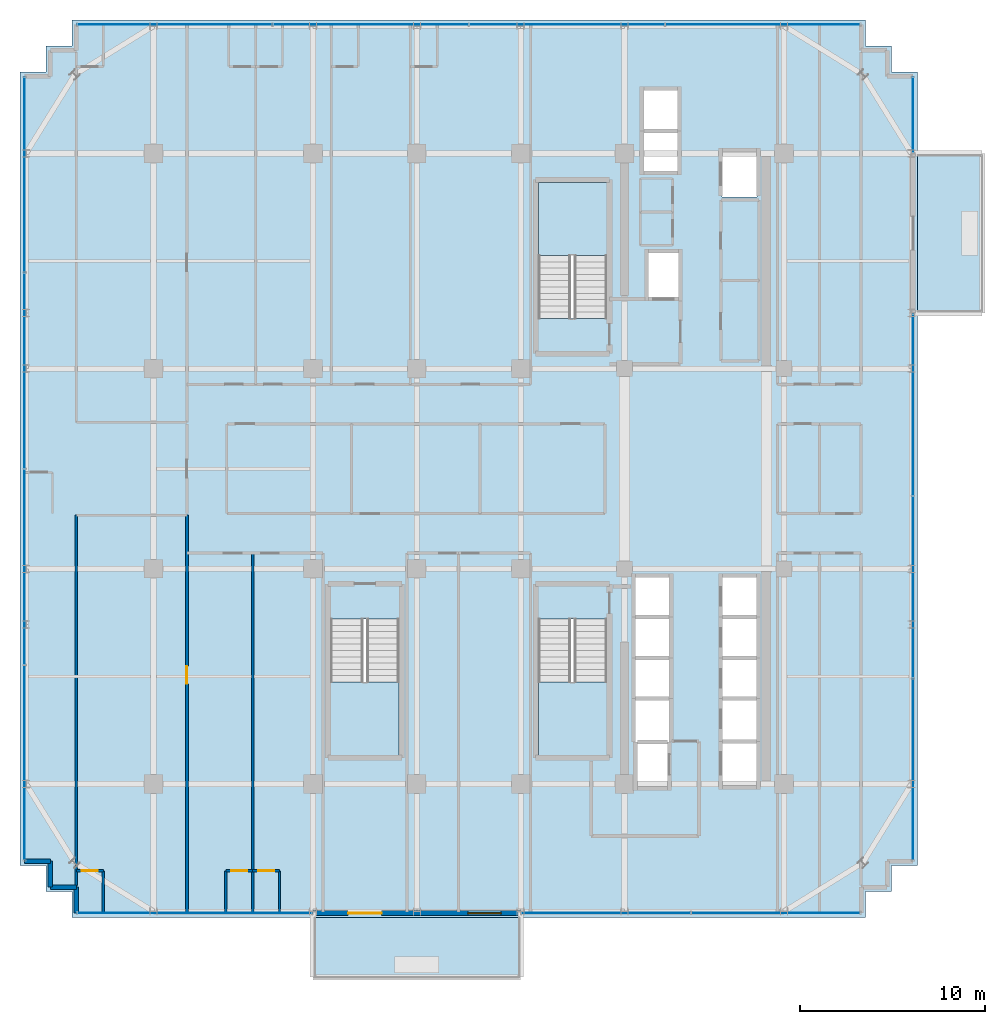
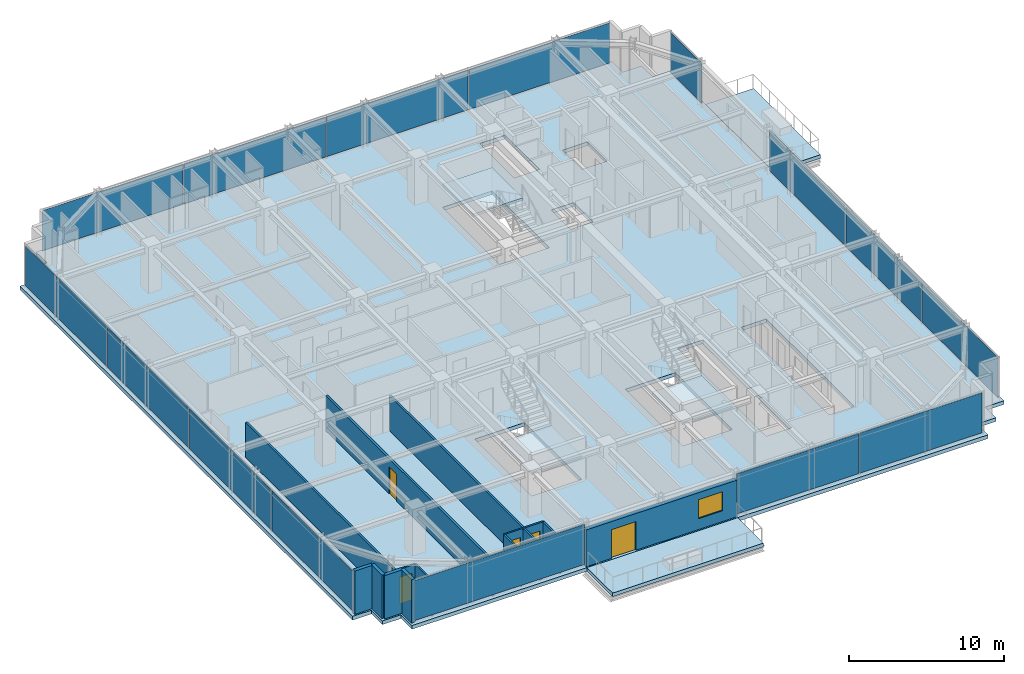
# One storey, part 27 of 34: 15 plates, 14 walls, 6 slabs, 5 doors, 1 window, 6 openings, 9 elements without a shape of their own.
"""IFC4 building model written with IfcOpenShell, lengths in metres."""

from ifc_helpers import new_model, si_unit, direction, frame, frame_2d, origin, origin_2d, place, context, subcontext, project, spatial, polyline, rectangle, outline, extrude, source, transform, mapped, material, layer, layer_set, type_object, element, fill, aggregate, save


model = new_model("IFC4")

# Units and contexts
model_context = context("Model", 3, precision=1e-05, world=origin(), true_north=direction((0.0, 1.0)))
body_context = subcontext(model_context, "Body", "Model", "MODEL_VIEW")
ifc_project = project(units=[si_unit("LENGTHUNIT", "METRE"), si_unit("AREAUNIT", "SQUARE_METRE"), si_unit("VOLUMEUNIT", "CUBIC_METRE"), si_unit("PLANEANGLEUNIT", "RADIAN"), si_unit("MASSUNIT", "GRAM", prefix="KILO")], contexts=[model_context])

# Site, building, storey
site_placement = place(None, origin())
site = spatial("IfcSite", under=ifc_project, at=site_placement, CompositionType="ELEMENT")
building_placement = place(site_placement, origin())
building = spatial("IfcBuilding", under=site, at=building_placement, Name="Nahalor Promenade Grand Hotel", CompositionType="ELEMENT")
storey_placement = place(building_placement, frame((0.0, 0.0, 208.60009765625)))
storey = spatial("IfcBuildingStorey", under=building, at=storey_placement, Name="L53", CompositionType="ELEMENT", Elevation=208.60009765625)

# Stair, slab
ifc_material_1 = material(Name="Concrete B-50 (C40/50)", Category="concrete")
stair_type_1 = type_object("IfcStairType", Name="Stair-ST1", PredefinedType="HALF_TURN_STAIR", material=ifc_material_1)
stair_1_placement = place(storey_placement, origin())
stair_1 = element("IfcStair", 1, at=stair_1_placement, inside=storey, type_object=stair_type_1, Name="L53 ST1", PredefinedType="HALF_TURN_STAIR")
ifc_layer_1 = layer(ifc_material_1, 0.199951171875)
ifc_layer_set_1 = layer_set([ifc_layer_1], Name="Concrete B-50 (C40/50)")
slab_type_1 = type_object("IfcSlabType", Name="Landing-ST1", PredefinedType="LANDING", material=ifc_layer_set_1)
slab_1_placement = place(storey_placement, frame((0.0, 0.0, 1.64990234375)))
slab_1 = element("IfcSlab", 2, at=slab_1_placement, type_object=slab_type_1, Name="ST1 landing 1", PredefinedType="LANDING", context=body_context, shape_type="SweptSolid", body=[
    extrude(outline(polyline([(7.449951171875, 11.5), (7.449951171875, 15.449951171875), (3.75, 15.449951171875), (3.75, 11.5), (7.449951171875, 11.5)])), origin(), (0.0, 0.0, 1.0), 0.199951171875),
])
aggregate(stair_1, [slab_1])

stair_type_2 = type_object("IfcStairType", Name="Stair-ST2", PredefinedType="HALF_TURN_STAIR", material=ifc_material_1)
stair_2_placement = place(storey_placement, origin())
stair_2 = element("IfcStair", 3, at=stair_2_placement, inside=storey, type_object=stair_type_2, Name="L53 ST2", PredefinedType="HALF_TURN_STAIR")
ifc_layer_2 = layer(ifc_material_1, 0.2099609375)
ifc_layer_set_2 = layer_set([ifc_layer_2], Name="Concrete B-50 (C40/50)")
slab_type_2 = type_object("IfcSlabType", Name="Landing-ST2", PredefinedType="LANDING", material=ifc_layer_set_2)
slab_2_placement = place(storey_placement, frame((0.0, 0.0, 1.639892578125)))
slab_2 = element("IfcSlab", 4, at=slab_2_placement, type_object=slab_type_2, Name="ST2 landing 1", PredefinedType="LANDING", context=body_context, shape_type="SweptSolid", body=[
    extrude(outline(polyline([(3.75, -11.5), (3.75, -15.449951171875), (7.449951171875, -15.449951171875), (7.449951171875, -11.5), (3.75, -11.5)])), origin(), (0.0, 0.0, 1.0), 0.2099609375),
])
aggregate(stair_2, [slab_2])

stair_type_3 = type_object("IfcStairType", Name="Stair-ST3", PredefinedType="HALF_TURN_STAIR", material=ifc_material_1)
stair_3_placement = place(storey_placement, origin())
stair_3 = element("IfcStair", 5, at=stair_3_placement, inside=storey, type_object=stair_type_3, Name="L53 ST3", PredefinedType="HALF_TURN_STAIR")
ifc_layer_3 = layer(ifc_material_1, 0.219970703125)
ifc_layer_set_3 = layer_set([ifc_layer_3], Name="Concrete B-50 (C40/50)")
slab_type_3 = type_object("IfcSlabType", Name="Landing-ST3", PredefinedType="LANDING", material=ifc_layer_set_3)
slab_3_placement = place(storey_placement, frame((0.0, 0.0, 1.6298828125)))
slab_3 = element("IfcSlab", 6, at=slab_3_placement, type_object=slab_type_3, Name="ST3 landing 1", PredefinedType="LANDING", context=body_context, shape_type="SweptSolid", body=[
    extrude(outline(polyline([(-7.449951171875, -11.5), (-7.449951171875, -15.449951171875), (-3.75, -15.449951171875), (-3.75, -11.5), (-7.449951171875, -11.5)])), origin(), (0.0, 0.0, 1.0), 0.219970703125),
])
aggregate(stair_3, [slab_3])

# Slabs
ifc_layer_4 = layer(ifc_material_1, 0.280029296875)
ifc_layer_set_4 = layer_set([ifc_layer_4], Name="Concrete B-50 (C40/50)")
slab_type_4 = type_object("IfcSlabType", Name="Slab-Balcony-280", PredefinedType="FLOOR", material=ifc_layer_set_4)
slab_4_placement = place(storey_placement, frame((0.0, 0.0, -0.280029296875)))
element("IfcSlab", 7, at=slab_4_placement, inside=storey, type_object=slab_type_4, Name="L53 Cantilevered Planted Balcony 1", PredefinedType="FLOOR", context=body_context, shape_type="SweptSolid", body=[
    extrude(outline(polyline([(-8.39990234375, -27.5), (2.800048828125, -27.5), (2.800048828125, -24.199951171875), (-8.39990234375, -24.199951171875), (-8.39990234375, -27.5)])), origin(), (0.0, 0.0, 1.0), 0.280029296875),
])
slab_5_placement = place(storey_placement, frame((0.0, 0.0, -0.280029296875)))
element("IfcSlab", 8, at=slab_5_placement, inside=storey, type_object=slab_type_4, Name="L53 Cantilevered Planted Balcony 2", PredefinedType="FLOOR", context=body_context, shape_type="SweptSolid", body=[
    extrude(outline(polyline([(24.199951171875, 8.39990234375), (27.760009765625, 8.39990234375), (27.760009765625, 17.0), (24.199951171875, 17.0), (24.199951171875, 8.39990234375)])), origin(), (0.0, 0.0, 1.0), 0.280029296875),
])
ifc_layer_5 = layer(ifc_material_1, 0.2900390625)
ifc_layer_set_5 = layer_set([ifc_layer_5], Name="Concrete B-50 (C40/50)")
slab_type_5 = type_object("IfcSlabType", Name="Slab-TowerZ4-290", PredefinedType="FLOOR", material=ifc_layer_set_5)
slab_6_placement = place(storey_placement, frame((0.0, 0.0, -0.2900390625)))
element("IfcSlab", 9, at=slab_6_placement, inside=storey, type_object=slab_type_5, Name="L53 Suspended Structural Floor Slab", PredefinedType="FLOOR", context=body_context, shape_type="SweptSolid", body=[
    extrude(outline(polyline([(-21.39990234375, -24.199951171875), (21.39990234375, -24.199951171875), (21.39990234375, -22.800048828125), (22.800048828125, -22.800048828125), (22.800048828125, -21.39990234375), (24.199951171875, -21.39990234375), (24.199951171875, 21.39990234375), (22.800048828125, 21.39990234375), (22.800048828125, 22.800048828125), (21.39990234375, 22.800048828125), (21.39990234375, 24.199951171875), (-21.39990234375, 24.199951171875), (-21.39990234375, 22.800048828125), (-22.800048828125, 22.800048828125), (-22.800048828125, 21.39990234375), (-24.199951171875, 21.39990234375), (-24.199951171875, -21.39990234375), (-22.800048828125, -21.39990234375), (-22.800048828125, -22.800048828125), (-21.39990234375, -22.800048828125), (-21.39990234375, -24.199951171875)]), holes=[polyline([(3.75, 8.10009765625), (7.449951171875, 8.10009765625), (7.449951171875, 15.449951171875), (3.75, 15.449951171875), (3.75, 8.10009765625)]), polyline([(3.75, -15.449951171875), (7.449951171875, -15.449951171875), (7.449951171875, -8.10009765625), (3.75, -8.10009765625), (3.75, -15.449951171875)]), polyline([(-7.449951171875, -15.449951171875), (-3.75, -15.449951171875), (-3.75, -8.10009765625), (-7.449951171875, -8.10009765625), (-7.449951171875, -15.449951171875)]), polyline([(13.659912109375, -17.139892578125), (15.5400390625, -17.139892578125), (15.5400390625, -5.81005859375), (13.659912109375, -5.81005859375), (13.659912109375, -17.139892578125)]), polyline([(8.9599609375, -17.18994140625), (10.840087890625, -17.18994140625), (10.840087890625, -5.81005859375), (8.9599609375, -5.81005859375), (8.9599609375, -17.18994140625)]), polyline([(9.409912109375, 16.010009765625), (11.2900390625, 16.010009765625), (11.2900390625, 20.43994140625), (9.409912109375, 20.43994140625), (9.409912109375, 16.010009765625)]), polyline([(9.659912109375, 9.2099609375), (11.340087890625, 9.2099609375), (11.340087890625, 11.68994140625), (9.659912109375, 11.68994140625), (9.659912109375, 9.2099609375)]), polyline([(13.659912109375, 14.659912109375), (15.5400390625, 14.659912109375), (15.5400390625, 17.139892578125), (13.659912109375, 17.139892578125), (13.659912109375, 14.659912109375)])]), origin(), (0.0, 0.0, 1.0), 0.2900390625),
])

# Curtain wall, plates
ifc_material_2 = material(Name="Anodised Bronze Aluminium EN AW-6063 T6", Category="aluminium")
curtain_wall_type = type_object("IfcCurtainWallType", Name="CW2 Typical Hotel Flush Bronze Unitised Curtain Wall", PredefinedType="USERDEFINED", material=ifc_material_2)
curtain_wall_1_placement = place(storey_placement, origin())
curtain_wall_1 = element("IfcCurtainWall", 10, at=curtain_wall_1_placement, inside=storey, type_object=curtain_wall_type, Name="L53 Curtain Wall CW-L53-N-1", ObjectType="UNITISED_CURTAIN_WALL", PredefinedType="USERDEFINED")
ifc_material_3 = material(Name="Low-E Laminated Solar Glass", Category="glass")
ifc_layer_6 = layer(ifc_material_3, 0.028076171875)
ifc_layer_set_6 = layer_set([ifc_layer_6], Name="Low-E Laminated Solar Glass")
plate_type = type_object("IfcPlateType", Name="CWP2 Bronze Low-E Vision IGU 28mm", PredefinedType="CURTAIN_PANEL", material=ifc_layer_set_6)
shared_shape_1 = source(origin(), body_context, "Body", "SweptSolid", [
    extrude(rectangle(XDim=10.482421875, YDim=0.028076171875, at=origin_2d()), origin(), (0.0, 0.0, 1.0), 3.14990234375),
])
plate_1_placement = place(storey_placement, frame((-15.853759765625, 23.9599609375, 0.1298828125), z_axis=(0.0, 0.0, 1.0), x_axis=(1.0, 0.0, 0.0)))
plate_1 = element("IfcPlate", 11, at=plate_1_placement, type_object=plate_type, Name="CW-L53-N-1 Glazing Panel 0-0", PredefinedType="CURTAIN_PANEL", context=body_context, shape_type="MappedRepresentation", body=[
    mapped(shared_shape_1, transform((0.0, 0.0, 0.0), scale=1.0)),
])
plate_2_placement = place(storey_placement, frame((15.853759765625, 23.9599609375, 0.1298828125), z_axis=(0.0, 0.0, 1.0), x_axis=(1.0, 0.0, 0.0)))
plate_2 = element("IfcPlate", 12, at=plate_2_placement, type_object=plate_type, Name="CW-L53-N-1 Glazing Panel 3-0", PredefinedType="CURTAIN_PANEL", context=body_context, shape_type="MappedRepresentation", body=[
    mapped(shared_shape_1, transform((0.0, 0.0, 0.0), scale=1.0)),
])

curtain_wall_2_placement = place(storey_placement, origin())
curtain_wall_2 = element("IfcCurtainWall", 13, at=curtain_wall_2_placement, inside=storey, type_object=curtain_wall_type, Name="L53 Curtain Wall CW-L53-W-1", ObjectType="UNITISED_CURTAIN_WALL", PredefinedType="USERDEFINED")
plate_3_placement = place(storey_placement, frame((-23.9599609375, -15.853759765625, 0.1298828125), z_axis=(0.0, 0.0, 1.0), x_axis=(0.0, 1.0, 0.0)))
plate_3 = element("IfcPlate", 14, at=plate_3_placement, type_object=plate_type, Name="CW-L53-W-1 Glazing Panel 0-0", PredefinedType="CURTAIN_PANEL", context=body_context, shape_type="MappedRepresentation", body=[
    mapped(shared_shape_1, transform((0.0, 0.0, 0.0), scale=1.0)),
])
plate_4_placement = place(storey_placement, frame((-23.9599609375, 15.853759765625, 0.1298828125), z_axis=(0.0, 0.0, 1.0), x_axis=(0.0, 1.0, 0.0)))
plate_4 = element("IfcPlate", 15, at=plate_4_placement, type_object=plate_type, Name="CW-L53-W-1 Glazing Panel 3-0", PredefinedType="CURTAIN_PANEL", context=body_context, shape_type="MappedRepresentation", body=[
    mapped(shared_shape_1, transform((0.0, 0.0, 0.0), scale=1.0)),
])

# Plate
shared_shape_2 = source(origin(), body_context, "Body", "SweptSolid", [
    extrude(rectangle(XDim=10.514892578125, YDim=0.028076171875, at=origin_2d()), origin(), (0.0, 0.0, 1.0), 3.14990234375),
])
plate_5_placement = place(storey_placement, frame((-5.2900390625, 23.9599609375, 0.1298828125), z_axis=(0.0, 0.0, 1.0), x_axis=(1.0, 0.0, 0.0)))
plate_5 = element("IfcPlate", 16, at=plate_5_placement, type_object=plate_type, Name="CW-L53-N-1 Glazing Panel 1-0", PredefinedType="CURTAIN_PANEL", context=body_context, shape_type="MappedRepresentation", body=[
    mapped(shared_shape_2, transform((0.0, 0.0, 0.0), scale=1.0)),
])

plate_6_placement = place(storey_placement, frame((5.2900390625, 23.9599609375, 0.1298828125), z_axis=(0.0, 0.0, 1.0), x_axis=(1.0, 0.0, 0.0)))
plate_6 = element("IfcPlate", 17, at=plate_6_placement, type_object=plate_type, Name="CW-L53-N-1 Glazing Panel 2-0", PredefinedType="CURTAIN_PANEL", context=body_context, shape_type="MappedRepresentation", body=[
    mapped(shared_shape_2, transform((0.0, 0.0, 0.0), scale=1.0)),
])

aggregate(curtain_wall_1, [plate_1, plate_5, plate_6, plate_2])

plate_7_placement = place(storey_placement, frame((-23.9599609375, -5.2900390625, 0.1298828125), z_axis=(0.0, 0.0, 1.0), x_axis=(0.0, 1.0, 0.0)))
plate_7 = element("IfcPlate", 18, at=plate_7_placement, type_object=plate_type, Name="CW-L53-W-1 Glazing Panel 1-0", PredefinedType="CURTAIN_PANEL", context=body_context, shape_type="MappedRepresentation", body=[
    mapped(shared_shape_2, transform((0.0, 0.0, 0.0), scale=1.0)),
])

plate_8_placement = place(storey_placement, frame((-23.9599609375, 5.2900390625, 0.1298828125), z_axis=(0.0, 0.0, 1.0), x_axis=(0.0, 1.0, 0.0)))
plate_8 = element("IfcPlate", 19, at=plate_8_placement, type_object=plate_type, Name="CW-L53-W-1 Glazing Panel 2-0", PredefinedType="CURTAIN_PANEL", context=body_context, shape_type="MappedRepresentation", body=[
    mapped(shared_shape_2, transform((0.0, 0.0, 0.0), scale=1.0)),
])

aggregate(curtain_wall_2, [plate_3, plate_7, plate_8, plate_4])

# Curtain wall, plate
curtain_wall_3_placement = place(storey_placement, origin())
curtain_wall_3 = element("IfcCurtainWall", 20, at=curtain_wall_3_placement, inside=storey, type_object=curtain_wall_type, Name="L53 Curtain Wall CW-L53-E-3", ObjectType="UNITISED_CURTAIN_WALL", PredefinedType="USERDEFINED")
shared_shape_3 = source(origin(), body_context, "Body", "SweptSolid", [
    extrude(rectangle(XDim=4.030029296875, YDim=0.028076171875, at=origin_2d()), origin(), (0.0, 0.0, 1.0), 3.14990234375),
])
plate_9_placement = place(storey_placement, frame((23.9599609375, 19.080078125, 0.1298828125), z_axis=(0.0, 0.0, 1.0), x_axis=(0.0, 1.0, 0.0)))
plate_9 = element("IfcPlate", 21, at=plate_9_placement, type_object=plate_type, Name="CW-L53-E-3 Glazing Panel 0-0", PredefinedType="CURTAIN_PANEL", context=body_context, shape_type="MappedRepresentation", body=[
    mapped(shared_shape_3, transform((0.0, 0.0, 0.0), scale=1.0)),
])
aggregate(curtain_wall_3, [plate_9])

# Curtain wall, plates
curtain_wall_4_placement = place(storey_placement, origin())
curtain_wall_4 = element("IfcCurtainWall", 22, at=curtain_wall_4_placement, inside=storey, type_object=curtain_wall_type, Name="L53 Curtain Wall CW-L53-E-1", ObjectType="UNITISED_CURTAIN_WALL", PredefinedType="USERDEFINED")
shared_shape_4 = source(origin(), body_context, "Body", "SweptSolid", [
    extrude(rectangle(XDim=9.755859375, YDim=0.028076171875, at=origin_2d()), origin(), (0.0, 0.0, 1.0), 3.14990234375),
])
plate_10_placement = place(storey_placement, frame((23.9599609375, -16.217041015625, 0.1298828125), z_axis=(0.0, 0.0, 1.0), x_axis=(0.0, 1.0, 0.0)))
plate_10 = element("IfcPlate", 23, at=plate_10_placement, type_object=plate_type, Name="CW-L53-E-1 Glazing Panel 0-0", PredefinedType="CURTAIN_PANEL", context=body_context, shape_type="MappedRepresentation", body=[
    mapped(shared_shape_4, transform((0.0, 0.0, 0.0), scale=1.0)),
])
plate_11_placement = place(storey_placement, frame((23.9599609375, 3.45703125, 0.1298828125), z_axis=(0.0, 0.0, 1.0), x_axis=(0.0, 1.0, 0.0)))
plate_11 = element("IfcPlate", 24, at=plate_11_placement, type_object=plate_type, Name="CW-L53-E-1 Glazing Panel 2-0", PredefinedType="CURTAIN_PANEL", context=body_context, shape_type="MappedRepresentation", body=[
    mapped(shared_shape_4, transform((0.0, 0.0, 0.0), scale=1.0)),
])
shared_shape_5 = source(origin(), body_context, "Body", "SweptSolid", [
    extrude(rectangle(XDim=9.788330078125, YDim=0.028076171875, at=origin_2d()), origin(), (0.0, 0.0, 1.0), 3.14990234375),
])
plate_12_placement = place(storey_placement, frame((23.9599609375, -6.3798828125, 0.1298828125), z_axis=(0.0, 0.0, 1.0), x_axis=(0.0, 1.0, 0.0)))
plate_12 = element("IfcPlate", 25, at=plate_12_placement, type_object=plate_type, Name="CW-L53-E-1 Glazing Panel 1-0", PredefinedType="CURTAIN_PANEL", context=body_context, shape_type="MappedRepresentation", body=[
    mapped(shared_shape_5, transform((0.0, 0.0, 0.0), scale=1.0)),
])
aggregate(curtain_wall_4, [plate_10, plate_12, plate_11])

# Curtain wall, plate
curtain_wall_5_placement = place(storey_placement, origin())
curtain_wall_5 = element("IfcCurtainWall", 26, at=curtain_wall_5_placement, inside=storey, type_object=curtain_wall_type, Name="L53 Curtain Wall CW-L53-S-1", ObjectType="UNITISED_CURTAIN_WALL", PredefinedType="USERDEFINED")
shared_shape_6 = source(origin(), body_context, "Body", "SweptSolid", [
    extrude(rectangle(XDim=12.6298828125, YDim=0.028076171875, at=origin_2d()), origin(), (0.0, 0.0, 1.0), 3.14990234375),
])
plate_13_placement = place(storey_placement, frame((-14.780029296875, -23.9599609375, 0.1298828125), z_axis=(0.0, 0.0, 1.0), x_axis=(1.0, 0.0, 0.0)))
plate_13 = element("IfcPlate", 27, at=plate_13_placement, type_object=plate_type, Name="CW-L53-S-1 Glazing Panel 0-0", PredefinedType="CURTAIN_PANEL", context=body_context, shape_type="MappedRepresentation", body=[
    mapped(shared_shape_6, transform((0.0, 0.0, 0.0), scale=1.0)),
])
aggregate(curtain_wall_5, [plate_13])

# Curtain wall, plates
curtain_wall_6_placement = place(storey_placement, origin())
curtain_wall_6 = element("IfcCurtainWall", 28, at=curtain_wall_6_placement, inside=storey, type_object=curtain_wall_type, Name="L53 Curtain Wall CW-L53-S-3", ObjectType="UNITISED_CURTAIN_WALL", PredefinedType="USERDEFINED")
shared_shape_7 = source(origin(), body_context, "Body", "SweptSolid", [
    extrude(rectangle(XDim=9.08251953125, YDim=0.028076171875, at=origin_2d()), origin(), (0.0, 0.0, 1.0), 3.14990234375),
])
plate_14_placement = place(storey_placement, frame((7.40625, -23.9599609375, 0.1298828125), z_axis=(0.0, 0.0, 1.0), x_axis=(1.0, 0.0, 0.0)))
plate_14 = element("IfcPlate", 29, at=plate_14_placement, type_object=plate_type, Name="CW-L53-S-3 Glazing Panel 0-0", PredefinedType="CURTAIN_PANEL", context=body_context, shape_type="MappedRepresentation", body=[
    mapped(shared_shape_7, transform((0.0, 0.0, 0.0), scale=1.0)),
])
plate_15_placement = place(storey_placement, frame((16.5537109375, -23.9599609375, 0.1298828125), z_axis=(0.0, 0.0, 1.0), x_axis=(1.0, 0.0, 0.0)))
plate_15 = element("IfcPlate", 30, at=plate_15_placement, type_object=plate_type, Name="CW-L53-S-3 Glazing Panel 1-0", PredefinedType="CURTAIN_PANEL", context=body_context, shape_type="MappedRepresentation", body=[
    mapped(shared_shape_7, transform((0.0, 0.0, 0.0), scale=1.0)),
])
aggregate(curtain_wall_6, [plate_14, plate_15])

# Walls
ifc_material_4 = material(Name="Concrete B-40 (C32/40)", Category="concrete")
ifc_layer_7 = layer(ifc_material_4, 0.25)
ifc_layer_set_7 = layer_set([ifc_layer_7], Name="Concrete B-40 (C32/40)")
wall_type_1 = type_object("IfcWallType", Name="Wall-BronzePier-250", PredefinedType="STANDARD", material=ifc_layer_set_7)
shared_shape_8 = source(origin(), body_context, "Body", "SweptSolid", [
    extrude(rectangle(XDim=1.39990234375, YDim=0.25, at=frame_2d((0.699951171875, 0.0))), origin(), (0.0, 0.0, 1.0), 3.409912109375),
])
for number, where, z_axis, x_axis, name in (
    (31, (-23.9599609375, -21.159912109375, 0.0), (0.0, 0.0, 1.0), (1.0, 0.0, 0.0), "W-L53-SR-13"),
    (32, (-21.159912109375, -23.9599609375, 0.0), (0.0, 0.0, 1.0), (0.0, 1.0, 0.0), "W-L53-SR-16"),
):
    element("IfcWall", number, at=place(storey_placement, frame(where, z_axis=z_axis, x_axis=x_axis)), inside=storey, type_object=wall_type_1, Name=name, PredefinedType="STANDARD", context=body_context, shape_type="MappedRepresentation", body=[
        mapped(shared_shape_8, transform((0.0, 0.0, 0.0), scale=1.0)),
    ])
shared_shape_9 = source(origin(), body_context, "Body", "SweptSolid", [
    extrude(rectangle(XDim=1.400146484375, YDim=0.25, at=frame_2d((0.7001953125, 0.0))), origin(), (0.0, 0.0, 1.0), 3.409912109375),
])
for number, where, z_axis, x_axis, name in (
    (33, (-22.56005859375, -22.56005859375, 0.0), (0.0, 0.0, 1.0), (0.0, 1.0, 0.0), "W-L53-SR-14"),
    (34, (-22.56005859375, -22.56005859375, 0.0), (0.0, 0.0, 1.0), (1.0, 0.0, 0.0), "W-L53-SR-15"),
):
    element("IfcWall", number, at=place(storey_placement, frame(where, z_axis=z_axis, x_axis=x_axis)), inside=storey, type_object=wall_type_1, Name=name, PredefinedType="STANDARD", context=body_context, shape_type="MappedRepresentation", body=[
        mapped(shared_shape_9, transform((0.0, 0.0, 0.0), scale=1.0)),
    ])

# Wall, openings, door, window
ifc_layer_8 = layer(ifc_material_4, 0.260009765625)
ifc_layer_set_8 = layer_set([ifc_layer_8], Name="Concrete B-40 (C32/40)")
wall_type_2 = type_object("IfcWallType", Name="Wall-BalconyWall-260", PredefinedType="STANDARD", material=ifc_layer_set_8)
shared_shape_10 = source(origin(), body_context, "Body", "SweptSolid", [
    extrude(rectangle(XDim=11.199951171875, YDim=0.260009765625, at=frame_2d((5.60009765625, 0.0))), origin(), (0.0, 0.0, 1.0), 2.889892578125),
])
wall_1_placement = place(storey_placement, frame((-8.39990234375, -23.9599609375, 0.0), z_axis=(0.0, 0.0, 1.0), x_axis=(1.0, 0.0, 0.0)))
wall_1 = element("IfcWall", 35, at=wall_1_placement, inside=storey, type_object=wall_type_2, Name="W-L53-BALC-S-2", PredefinedType="STANDARD", context=body_context, shape_type="MappedRepresentation", body=[
    mapped(shared_shape_10, transform((0.0, 0.0, 0.0), scale=1.0)),
])
opening_1_placement = place(wall_1_placement, frame((1.89990234375, 0.0, 0.0)))
opening_1 = element("IfcOpeningElement", 36, at=opening_1_placement, cuts=wall_1, Name="Opening D-BC1", PredefinedType="OPENING", context=body_context, shape_type="SweptSolid", body=[
    extrude(rectangle(XDim=1.800048828125, YDim=2.25, at=frame_2d((0.89990234375, 1.125))), frame((0.0, 0.139892578125, 0.0), z_axis=(0.0, -1.0, 0.0), x_axis=(1.0, 0.0, 0.0)), (0.0, 0.0, 1.0), 0.280029296875),
])
opening_2_placement = place(wall_1_placement, frame((8.35009765625, 0.0, 0.85009765625)))
opening_2 = element("IfcOpeningElement", 37, at=opening_2_placement, cuts=wall_1, Name="Opening WN-01", PredefinedType="OPENING", context=body_context, shape_type="SweptSolid", body=[
    extrude(rectangle(XDim=1.800048828125, YDim=1.5, at=frame_2d((0.89990234375, 0.75))), frame((0.0, 0.139892578125, 0.0), z_axis=(0.0, -1.0, 0.0), x_axis=(1.0, 0.0, 0.0)), (0.0, 0.0, 1.0), 0.280029296875),
])
door_type_1 = type_object("IfcDoorType", Name="Door-BalconySlide-1800", OperationType="DOUBLE_DOOR_SLIDING", PredefinedType="DOOR", material=ifc_material_2)
shared_shape_11 = source(origin(), body_context, "Body", "SweptSolid", [
    extrude(rectangle(XDim=1.800048828125, YDim=2.25, at=frame_2d((0.89990234375, 1.125))), frame((0.0, 0.02490234375, 0.0), z_axis=(0.0, -1.0, 0.0), x_axis=(1.0, 0.0, 0.0)), (0.0, 0.0, 1.0), 0.050048828125),
])
door_1_placement = place(opening_1_placement, frame((1.800048828125, 0.0, 0.0), z_axis=(0.0, 0.0, 1.0), x_axis=(-1.0, 0.0, 0.0)))
door_1 = element("IfcDoor", 38, at=door_1_placement, inside=storey, type_object=door_type_1, Name="DR-L53-BALC-S-2", OperationType="DOUBLE_DOOR_SLIDING", OverallHeight=2.25, OverallWidth=1.800048828125, PredefinedType="DOOR", context=body_context, shape_type="MappedRepresentation", body=[
    mapped(shared_shape_11, transform((0.0, 0.0, 0.0), scale=1.0)),
])
fill(opening_1, door_1)
window_type = type_object("IfcWindowType", Name="Win-ChicagoBay-1800x1500", PartitioningType="SINGLE_PANEL", PredefinedType="WINDOW", material=ifc_material_3)
shared_shape_12 = source(origin(), body_context, "Body", "SweptSolid", [
    extrude(rectangle(XDim=1.800048828125, YDim=1.5, at=frame_2d((0.89990234375, 0.75))), frame((0.0, 0.030029296875, 0.0), z_axis=(0.0, -1.0, 0.0), x_axis=(1.0, 0.0, 0.0)), (0.0, 0.0, 1.0), 0.06005859375),
])
window_placement = place(opening_2_placement, origin())
window = element("IfcWindow", 39, at=window_placement, inside=storey, type_object=window_type, Name="WN-L53-BALC-S-2-1", OverallHeight=1.5, OverallWidth=1.800048828125, PartitioningType="SINGLE_PANEL", PredefinedType="WINDOW", context=body_context, shape_type="MappedRepresentation", body=[
    mapped(shared_shape_12, transform((0.0, 0.0, 0.0), scale=1.0)),
])
fill(opening_2, window)

# Wall, opening, door
ifc_material_5 = material(Name="Acoustic Mineral Gypsum", Category="gypsum")
ifc_layer_9 = layer(ifc_material_5, 0.159912109375)
ifc_layer_set_9 = layer_set([ifc_layer_9], Name="Acoustic Mineral Gypsum")
wall_type_3 = type_object("IfcWallType", Name="Wall-PartCorridor-160", PredefinedType="PARTITIONING", material=ifc_layer_set_9)
shared_shape_13 = source(origin(), body_context, "Body", "SweptSolid", [
    extrude(rectangle(XDim=21.39990234375, YDim=0.159912109375, at=frame_2d((10.699951171875, 0.0))), origin(), (0.0, 0.0, 1.0), 2.75),
])
wall_2_placement = place(storey_placement, frame((-15.199951171875, -23.89990234375, 0.0), z_axis=(0.0, 0.0, 1.0), x_axis=(0.0, 1.0, 0.0)))
wall_2 = element("IfcWall", 40, at=wall_2_placement, inside=storey, type_object=wall_type_3, Name="W-L53-ZSW-E", PredefinedType="PARTITIONING", context=body_context, shape_type="MappedRepresentation", body=[
    mapped(shared_shape_13, transform((0.0, 0.0, 0.0), scale=1.0)),
])
opening_3_placement = place(wall_2_placement, frame((12.300048828125, 0.0, 0.0)))
opening_3 = element("IfcOpeningElement", 41, at=opening_3_placement, cuts=wall_2, Name="Opening D-01", PredefinedType="OPENING", context=body_context, shape_type="SweptSolid", body=[
    extrude(rectangle(XDim=0.949951171875, YDim=2.10009765625, at=frame_2d((0.47509765625, 1.050048828125))), frame((0.0, 0.08984375, 0.0), z_axis=(0.0, -1.0, 0.0), x_axis=(1.0, 0.0, 0.0)), (0.0, 0.0, 1.0), 0.179931640625),
])
ifc_material_6 = material(Name="Fire-Rated Timber Composite", Category="wood")
door_type_2 = type_object("IfcDoorType", Name="Door-GuestEntry-950", OperationType="NOTDEFINED", PredefinedType="DOOR", material=ifc_material_6)
shared_shape_14 = source(origin(), body_context, "Body", "SweptSolid", [
    extrude(rectangle(XDim=0.949951171875, YDim=2.10009765625, at=frame_2d((0.47509765625, 1.050048828125))), frame((0.0, 0.02490234375, 0.0), z_axis=(0.0, -1.0, 0.0), x_axis=(1.0, 0.0, 0.0)), (0.0, 0.0, 1.0), 0.050048828125),
])
door_2_placement = place(opening_3_placement, origin())
door_2 = element("IfcDoor", 42, at=door_2_placement, inside=storey, type_object=door_type_2, Name="DR-L53-SW0-ENT", OperationType="SINGLE_SWING_RIGHT", OverallHeight=2.10009765625, OverallWidth=0.949951171875, PredefinedType="DOOR", context=body_context, shape_type="MappedRepresentation", body=[
    mapped(shared_shape_14, transform((0.0, 0.0, 0.0), scale=1.0)),
])
fill(opening_3, door_2)

# Wall
ifc_layer_10 = layer(ifc_material_5, 0.139892578125)
ifc_layer_set_10 = layer_set([ifc_layer_10], Name="Acoustic Mineral Gypsum")
wall_type_4 = type_object("IfcWallType", Name="Wall-PartSuite-140", PredefinedType="PARTITIONING", material=ifc_layer_set_10)
shared_shape_15 = source(origin(), body_context, "Body", "SweptSolid", [
    extrude(rectangle(XDim=19.97998046875, YDim=0.139892578125, at=frame_2d((9.989990234375, 0.0))), origin(), (0.0, 0.0, 1.0), 2.75),
])
wall_3_placement = place(storey_placement, frame((-21.159912109375, -22.47998046875, 0.0), z_axis=(0.0, 0.0, 1.0), x_axis=(0.0, 1.0, 0.0)))
element("IfcWall", 43, at=wall_3_placement, inside=storey, type_object=wall_type_4, Name="W-L53-ZSW-W", PredefinedType="PARTITIONING", context=body_context, shape_type="MappedRepresentation", body=[
    mapped(shared_shape_15, transform((0.0, 0.0, 0.0), scale=1.0)),
])

# Wall, opening, door
ifc_layer_11 = layer(ifc_material_5, 0.1201171875)
ifc_layer_set_11 = layer_set([ifc_layer_11], Name="Acoustic Mineral Gypsum")
wall_type_5 = type_object("IfcWallType", Name="Wall-PartBath-120", PredefinedType="PARTITIONING", material=ifc_layer_set_11)
shared_shape_16 = source(origin(), body_context, "Body", "SweptSolid", [
    extrude(rectangle(XDim=1.449951171875, YDim=0.1201171875, at=frame_2d((0.72509765625, 0.0))), origin(), (0.0, 0.0, 1.0), 2.75),
])
wall_4_placement = place(storey_placement, frame((-21.159912109375, -21.679931640625, 0.0), z_axis=(0.0, 0.0, 1.0), x_axis=(1.0, 0.0, 0.0)))
wall_4 = element("IfcWall", 44, at=wall_4_placement, inside=storey, type_object=wall_type_5, Name="W-L53-SW0-BH", PredefinedType="PARTITIONING", context=body_context, shape_type="MappedRepresentation", body=[
    mapped(shared_shape_16, transform((0.0, 0.0, 0.0), scale=1.0)),
])
opening_4_placement = place(wall_4_placement, frame((0.284912109375, 0.0, 0.0)))
opening_4 = element("IfcOpeningElement", 45, at=opening_4_placement, cuts=wall_4, Name="Opening D-03", PredefinedType="OPENING", context=body_context, shape_type="SweptSolid", body=[
    extrude(rectangle(XDim=0.8798828125, YDim=2.10009765625, at=frame_2d((0.43994140625, 1.050048828125))), frame((0.0, 0.070068359375, 0.0), z_axis=(0.0, -1.0, 0.0), x_axis=(1.0, 0.0, 0.0)), (0.0, 0.0, 1.0), 0.14013671875),
])
door_type_3 = type_object("IfcDoorType", Name="Door-BathSwing-880", OperationType="NOTDEFINED", PredefinedType="DOOR", material=ifc_material_6)
shared_shape_17 = source(origin(), body_context, "Body", "SweptSolid", [
    extrude(rectangle(XDim=0.8798828125, YDim=2.10009765625, at=frame_2d((0.43994140625, 1.050048828125))), frame((0.0, 0.02490234375, 0.0), z_axis=(0.0, -1.0, 0.0), x_axis=(1.0, 0.0, 0.0)), (0.0, 0.0, 1.0), 0.050048828125),
])
door_3_placement = place(opening_4_placement, frame((0.8798828125, 0.0, 0.0), z_axis=(0.0, 0.0, 1.0), x_axis=(-1.0, 0.0, 0.0)))
door_3 = element("IfcDoor", 46, at=door_3_placement, inside=storey, type_object=door_type_3, Name="DR-L53-SW0-BATH", OperationType="SINGLE_SWING_LEFT", OverallHeight=2.10009765625, OverallWidth=0.8798828125, PredefinedType="DOOR", context=body_context, shape_type="MappedRepresentation", body=[
    mapped(shared_shape_17, transform((0.0, 0.0, 0.0), scale=1.0)),
])
fill(opening_4, door_3)

wall_5_placement = place(storey_placement, frame((-11.64990234375, -21.679931640625, 0.0), z_axis=(0.0, 0.0, 1.0), x_axis=(1.0, 0.0, 0.0)))
wall_5 = element("IfcWall", 47, at=wall_5_placement, inside=storey, type_object=wall_type_5, Name="W-L53-S2-BH", PredefinedType="PARTITIONING", context=body_context, shape_type="MappedRepresentation", body=[
    mapped(shared_shape_16, transform((0.0, 0.0, 0.0), scale=1.0)),
])
opening_5_placement = place(wall_5_placement, frame((0.284912109375, 0.0, 0.0)))
opening_5 = element("IfcOpeningElement", 48, at=opening_5_placement, cuts=wall_5, Name="Opening D-03", PredefinedType="OPENING", context=body_context, shape_type="SweptSolid", body=[
    extrude(rectangle(XDim=0.8798828125, YDim=2.10009765625, at=frame_2d((0.43994140625, 1.050048828125))), frame((0.0, 0.070068359375, 0.0), z_axis=(0.0, -1.0, 0.0), x_axis=(1.0, 0.0, 0.0)), (0.0, 0.0, 1.0), 0.14013671875),
])
door_4_placement = place(opening_5_placement, frame((0.8798828125, 0.0, 0.0), z_axis=(0.0, 0.0, 1.0), x_axis=(-1.0, 0.0, 0.0)))
door_4 = element("IfcDoor", 49, at=door_4_placement, inside=storey, type_object=door_type_3, Name="DR-L53-S2-BATH", OperationType="SINGLE_SWING_LEFT", OverallHeight=2.10009765625, OverallWidth=0.8798828125, PredefinedType="DOOR", context=body_context, shape_type="MappedRepresentation", body=[
    mapped(shared_shape_17, transform((0.0, 0.0, 0.0), scale=1.0)),
])
fill(opening_5, door_4)

# Walls
shared_shape_18 = source(origin(), body_context, "Body", "SweptSolid", [
    extrude(rectangle(XDim=2.219970703125, YDim=0.1201171875, at=frame_2d((1.10986328125, 0.0))), origin(), (0.0, 0.0, 1.0), 2.75),
])
for number, where, z_axis, x_axis, name in (
    (50, (-19.7099609375, -23.89990234375, 0.0), (0.0, 0.0, 1.0), (0.0, 1.0, 0.0), "W-L53-SW0-BV"),
    (51, (-13.10009765625, -23.89990234375, 0.0), (0.0, 0.0, 1.0), (0.0, 1.0, 0.0), "W-L53-S1-BV"),
    (52, (-10.199951171875, -23.89990234375, 0.0), (0.0, 0.0, 1.0), (0.0, 1.0, 0.0), "W-L53-S2-BV"),
):
    element("IfcWall", number, at=place(storey_placement, frame(where, z_axis=z_axis, x_axis=x_axis)), inside=storey, type_object=wall_type_5, Name=name, PredefinedType="PARTITIONING", context=body_context, shape_type="MappedRepresentation", body=[
        mapped(shared_shape_18, transform((0.0, 0.0, 0.0), scale=1.0)),
    ])
shared_shape_19 = source(origin(), body_context, "Body", "SweptSolid", [
    extrude(rectangle(XDim=19.349853515625, YDim=0.139892578125, at=frame_2d((9.6748046875, 0.0))), origin(), (0.0, 0.0, 1.0), 2.75),
])
wall_6_placement = place(storey_placement, frame((-11.64990234375, -23.89990234375, 0.0), z_axis=(0.0, 0.0, 1.0), x_axis=(0.0, 1.0, 0.0)))
element("IfcWall", 53, at=wall_6_placement, inside=storey, type_object=wall_type_4, Name="W-L53-SP-1", PredefinedType="PARTITIONING", context=body_context, shape_type="MappedRepresentation", body=[
    mapped(shared_shape_19, transform((0.0, 0.0, 0.0), scale=1.0)),
])

# Wall, opening, door
shared_shape_20 = source(origin(), body_context, "Body", "SweptSolid", [
    extrude(rectangle(XDim=1.4501953125, YDim=0.1201171875, at=frame_2d((0.72509765625, 0.0))), origin(), (0.0, 0.0, 1.0), 2.75),
])
wall_7_placement = place(storey_placement, frame((-13.10009765625, -21.679931640625, 0.0), z_axis=(0.0, 0.0, 1.0), x_axis=(1.0, 0.0, 0.0)))
wall_7 = element("IfcWall", 54, at=wall_7_placement, inside=storey, type_object=wall_type_5, Name="W-L53-S1-BH", PredefinedType="PARTITIONING", context=body_context, shape_type="MappedRepresentation", body=[
    mapped(shared_shape_20, transform((0.0, 0.0, 0.0), scale=1.0)),
])
opening_6_placement = place(wall_7_placement, frame((0.284912109375, 0.0, 0.0)))
opening_6 = element("IfcOpeningElement", 55, at=opening_6_placement, cuts=wall_7, Name="Opening D-03", PredefinedType="OPENING", context=body_context, shape_type="SweptSolid", body=[
    extrude(rectangle(XDim=0.8798828125, YDim=2.10009765625, at=frame_2d((0.43994140625, 1.050048828125))), frame((0.0, 0.070068359375, 0.0), z_axis=(0.0, -1.0, 0.0), x_axis=(1.0, 0.0, 0.0)), (0.0, 0.0, 1.0), 0.14013671875),
])
door_5_placement = place(opening_6_placement, frame((0.8798828125, 0.0, 0.0), z_axis=(0.0, 0.0, 1.0), x_axis=(-1.0, 0.0, 0.0)))
door_5 = element("IfcDoor", 56, at=door_5_placement, inside=storey, type_object=door_type_3, Name="DR-L53-S1-BATH", OperationType="SINGLE_SWING_LEFT", OverallHeight=2.10009765625, OverallWidth=0.8798828125, PredefinedType="DOOR", context=body_context, shape_type="MappedRepresentation", body=[
    mapped(shared_shape_17, transform((0.0, 0.0, 0.0), scale=1.0)),
])
fill(opening_6, door_5)

save(model, "model.ifc")
